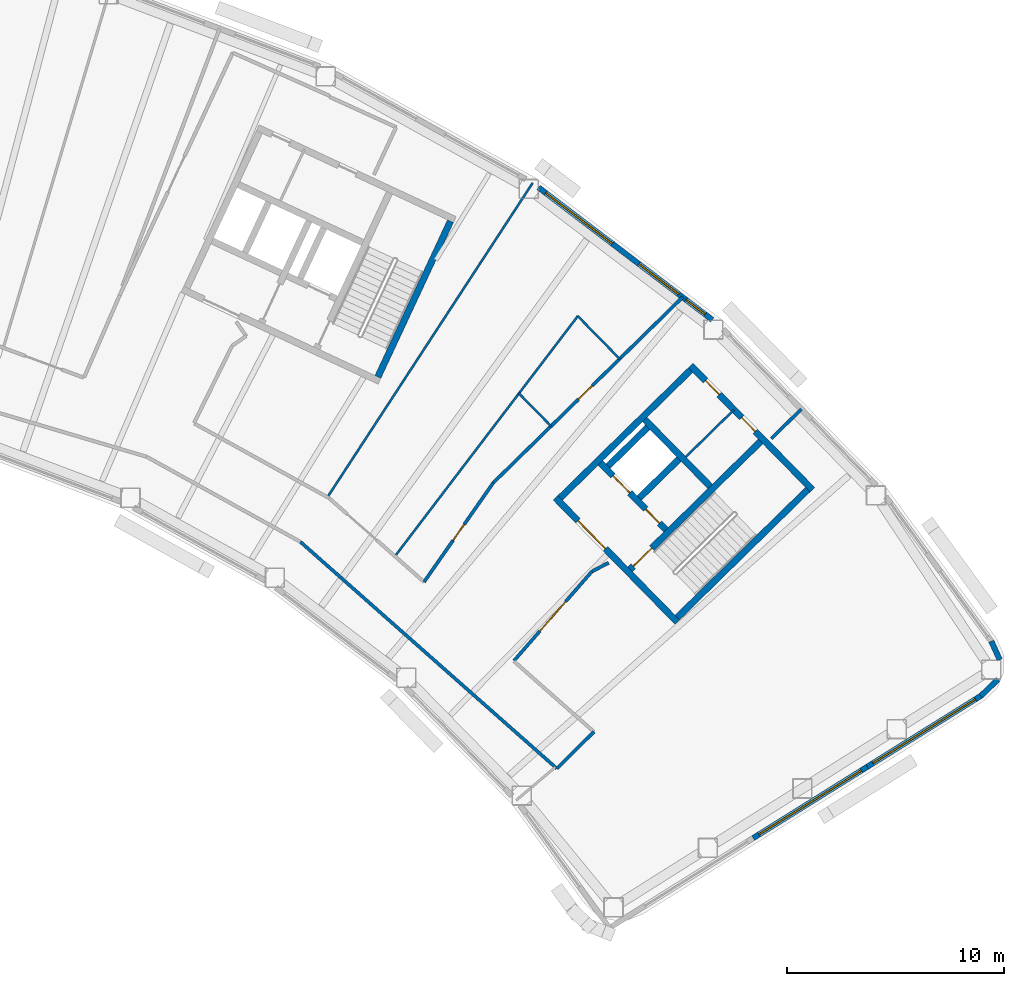
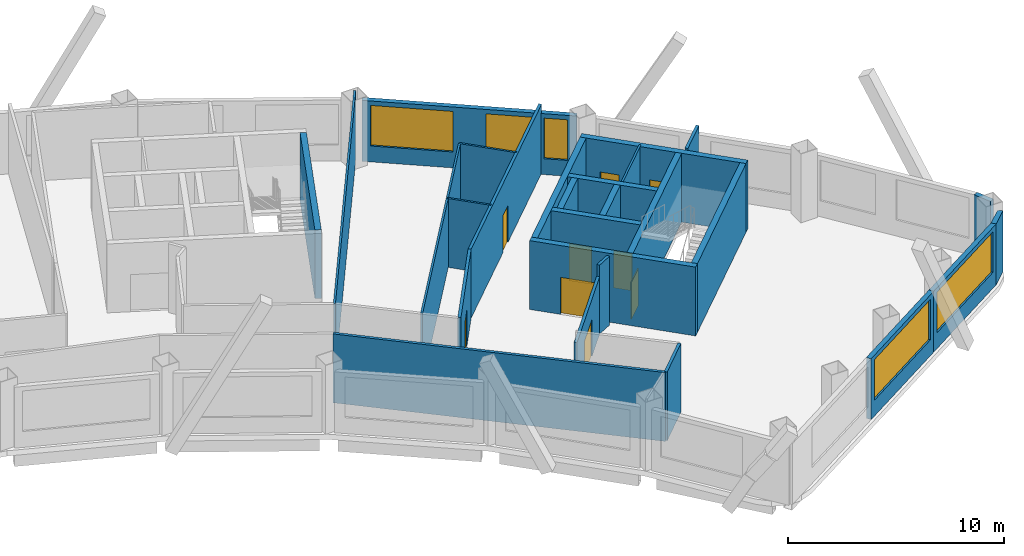
# One storey, part 9 of 13: 27 walls, 9 doors, 5 windows, 14 openings.
"""IFC4 building model written with IfcOpenShell, lengths in metres."""

from ifc_helpers import new_model, si_unit, direction, frame, frame_2d, origin, place, context, subcontext, project, spatial, rectangle, extrude, material, layer, layer_set, type_object, element, fill, save


model = new_model("IFC4")

# Units and contexts
model_context = context("Model", 3, precision=1e-05, world=origin(), true_north=direction((0.0, 1.0)))
body_context = subcontext(model_context, "Body", "Model", "MODEL_VIEW")
ifc_project = project(units=[si_unit("LENGTHUNIT", "METRE"), si_unit("AREAUNIT", "SQUARE_METRE"), si_unit("VOLUMEUNIT", "CUBIC_METRE"), si_unit("PLANEANGLEUNIT", "RADIAN"), si_unit("MASSUNIT", "GRAM", prefix="KILO")], contexts=[model_context])

# Site, building, storey
site_placement = place(None, origin())
site = spatial("IfcSite", under=ifc_project, at=site_placement, CompositionType="ELEMENT")
building_placement = place(site_placement, origin())
building = spatial("IfcBuilding", under=site, at=building_placement, Name="Tuul Gate Civic Tower", CompositionType="ELEMENT")
storey_placement = place(building_placement, frame((0.0, 0.0, 180.5)))
storey = spatial("IfcBuildingStorey", under=building, at=storey_placement, Name="Level 41", CompositionType="ELEMENT", Elevation=180.5)

# Wall, opening, door
ifc_material_1 = material(Name="Concrete C50/60", Category="concrete")
ifc_layer_1 = layer(ifc_material_1, 0.300048828125)
ifc_layer_set_1 = layer_set([ifc_layer_1], Name="Concrete C50/60")
wall_type_1 = type_object("IfcWallType", Name="Core wall C50/60", PredefinedType="SHEAR", material=ifc_layer_set_1)
wall_1_placement = place(storey_placement, frame((48.22509765625, -18.327880859375, 0.0), z_axis=(0.0, 0.0, 1.0), x_axis=(-0.700021979774, 0.714121297703, 0.0)))
wall_1 = element("IfcWall", 1, at=wall_1_placement, inside=storey, type_object=wall_type_1, Name="Core wall", PredefinedType="SHEAR", context=body_context, shape_type="SweptSolid", body=[
    extrude(rectangle(XDim=8.0, YDim=0.300048828125, at=frame_2d((4.0, 0.0))), origin(), (0.0, 0.0, 1.0), 3.89990234375),
])
opening_1_placement = place(wall_1_placement, frame((4.72509765625, 0.0, 0.0)))
opening_1 = element("IfcOpeningElement", 2, at=opening_1_placement, cuts=wall_1, Name="Opening LB-E1-LOBBY-1", PredefinedType="OPENING", context=body_context, shape_type="SweptSolid", body=[
    extrude(rectangle(XDim=1.800048828125, YDim=2.10009765625, at=frame_2d((0.89990234375, 1.050048828125))), frame((0.0, 0.16015625, 0.0), z_axis=(0.0, -1.0, 0.0), x_axis=(1.0, 0.0, 0.0)), (0.0, 0.0, 1.0), 0.320068359375),
])
ifc_material_2 = material(Name="Steel", Category="steel")
door_type_1 = type_object("IfcDoorType", Name="Lobby door", OperationType="DOUBLE_DOOR_SINGLE_SWING", PredefinedType="DOOR", material=ifc_material_2)
door_1_placement = place(opening_1_placement, frame((1.800048828125, 0.0, 0.0), z_axis=(0.0, 0.0, 1.0), x_axis=(-1.0, 0.0, 0.0)))
door_1 = element("IfcDoor", 3, at=door_1_placement, inside=storey, type_object=door_type_1, Name="Lobby door E1-LOBBY", OperationType="DOUBLE_DOOR_SINGLE_SWING", OverallHeight=2.10009765625, OverallWidth=1.800048828125, PredefinedType="DOOR", context=body_context, shape_type="SweptSolid", body=[
    extrude(rectangle(XDim=1.800048828125, YDim=2.10009765625, at=frame_2d((0.900146484375, 1.050048828125))), frame((0.0, 0.02490234375, 0.0), z_axis=(0.0, -1.0, 0.0), x_axis=(1.0, 0.0, 0.0)), (0.0, 0.0, 1.0), 0.050048828125),
])
fill(opening_1, door_1)

# Wall, openings, doors
wall_2_placement = place(storey_placement, frame((47.701904296875, -14.079833984375, 0.0), z_axis=(0.0, 0.0, 1.0), x_axis=(-0.700002721075, 0.714140175657, 0.0)))
wall_2 = element("IfcWall", 4, at=wall_2_placement, inside=storey, type_object=wall_type_1, Name="Core wall", PredefinedType="SHEAR", context=body_context, shape_type="SweptSolid", body=[
    extrude(rectangle(XDim=4.300048828125, YDim=0.300048828125, at=frame_2d((2.14990234375, 0.0))), origin(), (0.0, 0.0, 1.0), 3.89990234375),
])
opening_2_placement = place(wall_2_placement, frame((0.425048828125, 0.0, 0.0)))
opening_2 = element("IfcOpeningElement", 5, at=opening_2_placement, cuts=wall_2, Name="Opening FB-E1A1", PredefinedType="OPENING", context=body_context, shape_type="SweptSolid", body=[
    extrude(rectangle(XDim=0.89990234375, YDim=2.10009765625, at=frame_2d((0.449951171875, 1.050048828125))), frame((0.0, 0.16015625, 0.0), z_axis=(0.0, -1.0, 0.0), x_axis=(1.0, 0.0, 0.0)), (0.0, 0.0, 1.0), 0.320068359375),
])
opening_3_placement = place(wall_2_placement, frame((2.375, 0.0, 0.0)))
opening_3 = element("IfcOpeningElement", 6, at=opening_3_placement, cuts=wall_2, Name="Opening LD-M3", PredefinedType="OPENING", context=body_context, shape_type="SweptSolid", body=[
    extrude(rectangle(XDim=1.10009765625, YDim=2.10009765625, at=frame_2d((0.550048828125, 1.050048828125))), frame((0.0, 0.16015625, 0.0), z_axis=(0.0, -1.0, 0.0), x_axis=(1.0, 0.0, 0.0)), (0.0, 0.0, 1.0), 0.320068359375),
])
ifc_material_3 = material(Name="Stainless steel", Category="steel")
door_type_2 = type_object("IfcDoorType", Name="Landing door", OperationType="DOUBLE_DOOR_SLIDING", PredefinedType="DOOR", material=ifc_material_3)
door_2_placement = place(opening_3_placement, origin())
door_2 = element("IfcDoor", 7, at=door_2_placement, inside=storey, type_object=door_type_2, Name="Mid-rise lift M3 landing door", OperationType="DOUBLE_DOOR_SLIDING", OverallHeight=2.10009765625, OverallWidth=1.10009765625, PredefinedType="DOOR", context=body_context, shape_type="SweptSolid", body=[
    extrude(rectangle(XDim=1.10009765625, YDim=2.10009765625, at=frame_2d((0.550048828125, 1.050048828125))), frame((0.0, 0.02490234375, 0.0), z_axis=(0.0, -1.0, 0.0), x_axis=(1.0, 0.0, 0.0)), (0.0, 0.0, 1.0), 0.050048828125),
])
fill(opening_3, door_2)
ifc_material_4 = material(Name="Steel", Category="steel")
door_type_3 = type_object("IfcDoorType", Name="Store door", OperationType="NOTDEFINED", PredefinedType="DOOR", material=ifc_material_4)
door_3_placement = place(opening_2_placement, frame((0.89990234375, 0.0, 0.0), z_axis=(0.0, 0.0, 1.0), x_axis=(-1.0, 0.0, 0.0)))
door_3 = element("IfcDoor", 8, at=door_3_placement, inside=storey, type_object=door_type_3, Name="Store door E1A1", OperationType="SINGLE_SWING_RIGHT", OverallHeight=2.10009765625, OverallWidth=0.89990234375, PredefinedType="DOOR", context=body_context, shape_type="SweptSolid", body=[
    extrude(rectangle(XDim=0.89990234375, YDim=2.10009765625, at=frame_2d((0.449951171875, 1.050048828125))), frame((0.0, 0.02490234375, 0.0), z_axis=(0.0, -1.0, 0.0), x_axis=(1.0, 0.0, 0.0)), (0.0, 0.0, 1.0), 0.050048828125),
])
fill(opening_2, door_3)

# Wall
wall_3_placement = place(storey_placement, frame((49.737060546875, -12.0849609375, 0.0), z_axis=(0.0, 0.0, 1.0), x_axis=(-0.700002721075, 0.714140175657, 0.0)))
element("IfcWall", 9, at=wall_3_placement, inside=storey, type_object=wall_type_1, Name="Core wall", PredefinedType="SHEAR", context=body_context, shape_type="SweptSolid", body=[
    extrude(rectangle(XDim=4.300048828125, YDim=0.300048828125, at=frame_2d((2.14990234375, 0.0))), origin(), (0.0, 0.0, 1.0), 3.89990234375),
])

# Wall, openings, doors
wall_4_placement = place(storey_placement, frame((54.43798828125, -12.23779296875, 0.0), z_axis=(0.0, 0.0, 1.0), x_axis=(-0.700021979774, 0.714121297703, 0.0)))
wall_4 = element("IfcWall", 10, at=wall_4_placement, inside=storey, type_object=wall_type_1, Name="Core wall", PredefinedType="SHEAR", context=body_context, shape_type="SweptSolid", body=[
    extrude(rectangle(XDim=8.0, YDim=0.300048828125, at=frame_2d((4.0, 0.0))), origin(), (0.0, 0.0, 1.0), 3.89990234375),
])
opening_4_placement = place(wall_4_placement, frame((3.75, 0.0, 0.0)))
opening_4 = element("IfcOpeningElement", 11, at=opening_4_placement, cuts=wall_4, Name="Opening O-D27", PredefinedType="OPENING", context=body_context, shape_type="SweptSolid", body=[
    extrude(rectangle(XDim=0.89990234375, YDim=2.10009765625, at=frame_2d((0.449951171875, 1.050048828125))), frame((0.0, 0.16015625, 0.0), z_axis=(0.0, -1.0, 0.0), x_axis=(1.0, 0.0, 0.0)), (0.0, 0.0, 1.0), 0.320068359375),
])
opening_5_placement = place(wall_4_placement, frame((6.125, 0.0, 0.0)))
opening_5 = element("IfcOpeningElement", 12, at=opening_5_placement, cuts=wall_4, Name="Opening O-D28", PredefinedType="OPENING", context=body_context, shape_type="SweptSolid", body=[
    extrude(rectangle(XDim=0.89990234375, YDim=2.10009765625, at=frame_2d((0.449951171875, 1.050048828125))), frame((0.0, 0.16015625, 0.0), z_axis=(0.0, -1.0, 0.0), x_axis=(1.0, 0.0, 0.0)), (0.0, 0.0, 1.0), 0.320068359375),
])
ifc_material_5 = material(Name="Timber door leaf", Category="wood")
door_type_4 = type_object("IfcDoorType", Name="Door D09", OperationType="NOTDEFINED", PredefinedType="DOOR", material=ifc_material_5)
door_4_placement = place(opening_4_placement, origin())
door_4 = element("IfcDoor", 13, at=door_4_placement, inside=storey, type_object=door_type_4, Name="Door O-D27", OperationType="SINGLE_SWING_LEFT", OverallHeight=2.10009765625, OverallWidth=0.89990234375, PredefinedType="DOOR", context=body_context, shape_type="SweptSolid", body=[
    extrude(rectangle(XDim=0.89990234375, YDim=2.10009765625, at=frame_2d((0.449951171875, 1.050048828125))), frame((0.0, 0.02490234375, 0.0), z_axis=(0.0, -1.0, 0.0), x_axis=(1.0, 0.0, 0.0)), (0.0, 0.0, 1.0), 0.050048828125),
])
fill(opening_4, door_4)
door_5_placement = place(opening_5_placement, origin())
door_5 = element("IfcDoor", 14, at=door_5_placement, inside=storey, type_object=door_type_4, Name="Door O-D28", OperationType="SINGLE_SWING_LEFT", OverallHeight=2.10009765625, OverallWidth=0.89990234375, PredefinedType="DOOR", context=body_context, shape_type="SweptSolid", body=[
    extrude(rectangle(XDim=0.89990234375, YDim=2.10009765625, at=frame_2d((0.449951171875, 1.050048828125))), frame((0.0, 0.02490234375, 0.0), z_axis=(0.0, -1.0, 0.0), x_axis=(1.0, 0.0, 0.0)), (0.0, 0.0, 1.0), 0.050048828125),
])
fill(opening_5, door_5)

# Wall
wall_5_placement = place(storey_placement, frame((48.227294921875, -18.115966796875, 0.0), z_axis=(0.0, 0.0, 1.0), x_axis=(0.714105315431, 0.700038283577, 0.0)))
element("IfcWall", 15, at=wall_5_placement, inside=storey, type_object=wall_type_1, Name="Core wall", PredefinedType="SHEAR", context=body_context, shape_type="SweptSolid", body=[
    extrude(rectangle(XDim=8.400146484375, YDim=0.300048828125, at=frame_2d((4.2001953125, 0.0))), origin(), (0.0, 0.0, 1.0), 3.89990234375),
])

# Wall, opening, door
wall_6_placement = place(storey_placement, frame((46.05712890625, -15.902099609375, 0.0), z_axis=(0.0, 0.0, 1.0), x_axis=(0.714134086973, 0.700008932674, 0.0)))
wall_6 = element("IfcWall", 16, at=wall_6_placement, inside=storey, type_object=wall_type_1, Name="Core wall", PredefinedType="SHEAR", context=body_context, shape_type="SweptSolid", body=[
    extrude(rectangle(XDim=8.400146484375, YDim=0.300048828125, at=frame_2d((4.2001953125, 0.0))), origin(), (0.0, 0.0, 1.0), 3.89990234375),
])
opening_6_placement = place(wall_6_placement, frame((0.199951171875, 0.0, 0.0)))
opening_6 = element("IfcOpeningElement", 17, at=opening_6_placement, cuts=wall_6, Name="Opening SD-ST-3", PredefinedType="OPENING", context=body_context, shape_type="SweptSolid", body=[
    extrude(rectangle(XDim=1.199951171875, YDim=2.10009765625, at=frame_2d((0.60009765625, 1.050048828125))), frame((0.0, 0.16015625, 0.0), z_axis=(0.0, -1.0, 0.0), x_axis=(1.0, 0.0, 0.0)), (0.0, 0.0, 1.0), 0.320068359375),
])
ifc_material_6 = material(Name="Steel", Category="steel")
door_type_5 = type_object("IfcDoorType", Name="Stair door", OperationType="NOTDEFINED", PredefinedType="DOOR", material=ifc_material_6)
door_6_placement = place(opening_6_placement, origin())
door_6 = element("IfcDoor", 18, at=door_6_placement, inside=storey, type_object=door_type_5, Name="Stair door ST-3", OperationType="SINGLE_SWING_LEFT", OverallHeight=2.10009765625, OverallWidth=1.199951171875, PredefinedType="DOOR", context=body_context, shape_type="SweptSolid", body=[
    extrude(rectangle(XDim=1.199951171875, YDim=2.10009765625, at=frame_2d((0.60009765625, 1.050048828125))), frame((0.0, 0.02490234375, 0.0), z_axis=(0.0, -1.0, 0.0), x_axis=(1.0, 0.0, 0.0)), (0.0, 0.0, 1.0), 0.050048828125),
])
fill(opening_6, door_6)

# Walls
wall_7_placement = place(storey_placement, frame((46.47900390625, -12.617919921875, 0.0), z_axis=(0.0, 0.0, 1.0), x_axis=(0.71410944159, 0.700034074479, 0.0)))
element("IfcWall", 19, at=wall_7_placement, inside=storey, type_object=wall_type_1, Name="Core wall", PredefinedType="SHEAR", context=body_context, shape_type="SweptSolid", body=[
    extrude(rectangle(XDim=2.5498046875, YDim=0.300048828125, at=frame_2d((1.27490234375, 0.0))), origin(), (0.0, 0.0, 1.0), 3.89990234375),
])
wall_8_placement = place(storey_placement, frame((45.0439453125, -11.154052734375, 0.0), z_axis=(0.0, 0.0, 1.0), x_axis=(0.714108498262, 0.700035036773, 0.0)))
element("IfcWall", 20, at=wall_8_placement, inside=storey, type_object=wall_type_1, Name="Core wall", PredefinedType="SHEAR", context=body_context, shape_type="SweptSolid", body=[
    extrude(rectangle(XDim=2.550048828125, YDim=0.300048828125, at=frame_2d((1.27490234375, 0.0))), origin(), (0.0, 0.0, 1.0), 3.89990234375),
])
wall_9_placement = place(storey_placement, frame((42.837158203125, -12.616943359375, 0.0), z_axis=(0.0, 0.0, 1.0), x_axis=(0.714119844755, 0.700023461983, 0.0)))
element("IfcWall", 21, at=wall_9_placement, inside=storey, type_object=wall_type_1, Name="Core wall", PredefinedType="SHEAR", context=body_context, shape_type="SweptSolid", body=[
    extrude(rectangle(XDim=8.39990234375, YDim=0.300048828125, at=frame_2d((4.199951171875, 0.0))), origin(), (0.0, 0.0, 1.0), 3.89990234375),
])
wall_10_placement = place(storey_placement, frame((34.455810546875, -7.05078125, 0.0), z_axis=(0.0, 0.0, 1.0), x_axis=(0.422570768258, 0.906329932096, 0.0)))
element("IfcWall", 22, at=wall_10_placement, inside=storey, type_object=wall_type_1, Name="Core wall", PredefinedType="SHEAR", context=body_context, shape_type="SweptSolid", body=[
    extrude(rectangle(XDim=7.900146484375, YDim=0.300048828125, at=frame_2d((3.9501953125, 0.0))), origin(), (0.0, 0.0, 1.0), 3.89990234375),
])
ifc_material_7 = material(Name="Gypsum board partition")
ifc_layer_2 = layer(ifc_material_7, 0.14990234375)
ifc_layer_set_2 = layer_set([ifc_layer_2], Name="Gypsum board partition")
wall_type_2 = type_object("IfcWallType", Name="Corridor wall P150", PredefinedType="PARTITIONING", material=ifc_layer_set_2)
wall_11_placement = place(storey_placement, frame((42.68359375, -25.06103515625, 0.0), z_axis=(0.0, 0.0, 1.0), x_axis=(0.711669598432, 0.702514329155, 0.0)))
element("IfcWall", 23, at=wall_11_placement, inside=storey, type_object=wall_type_2, Name="p002", PredefinedType="PARTITIONING", context=body_context, shape_type="SweptSolid", body=[
    extrude(rectangle(XDim=2.39990234375, YDim=0.14990234375, at=frame_2d((1.199951171875, 0.0))), origin(), (0.0, 0.0, 1.0), 3.89990234375),
])
wall_12_placement = place(storey_placement, frame((44.297607421875, -16.002685546875, 0.0), z_axis=(0.0, 0.0, 1.0), x_axis=(0.885518894056, 0.464603366616, 0.0)))
element("IfcWall", 24, at=wall_12_placement, inside=storey, type_object=wall_type_2, Name="p006", PredefinedType="PARTITIONING", context=body_context, shape_type="SweptSolid", body=[
    extrude(rectangle(XDim=0.871826171875, YDim=0.14990234375, at=frame_2d((0.43603515625, 0.0))), origin(), (0.0, 0.0, 1.0), 3.89990234375),
])
wall_13_placement = place(storey_placement, frame((52.5517578125, -9.88525390625, 0.0), z_axis=(0.0, 0.0, 1.0), x_axis=(0.714076550364, 0.700067625463, 0.0)))
element("IfcWall", 25, at=wall_13_placement, inside=storey, type_object=wall_type_2, Name="p007", PredefinedType="PARTITIONING", context=body_context, shape_type="SweptSolid", body=[
    extrude(rectangle(XDim=1.9345703125, YDim=0.14990234375, at=frame_2d((0.96728515625, 0.0))), origin(), (0.0, 0.0, 1.0), 3.89990234375),
])
wall_14_placement = place(storey_placement, frame((30.89306640625, -14.639404296875, 0.0), z_axis=(0.0, 0.0, 1.0), x_axis=(0.749263018591, -0.662272548859, 0.0)))
element("IfcWall", 26, at=wall_14_placement, inside=storey, type_object=wall_type_2, Name="p008", PredefinedType="PARTITIONING", context=body_context, shape_type="SweptSolid", body=[
    extrude(rectangle(XDim=15.736083984375, YDim=0.14990234375, at=frame_2d((7.8681640625, 0.0))), origin(), (0.0, 0.0, 1.0), 3.89990234375),
])

# Wall, opening, door
wall_15_placement = place(storey_placement, frame((39.759521484375, -11.923095703125, 0.0), z_axis=(0.0, 0.0, 1.0), x_axis=(0.714135407695, 0.700007585299, 0.0)))
wall_15 = element("IfcWall", 27, at=wall_15_placement, inside=storey, type_object=wall_type_2, Name="p012", PredefinedType="PARTITIONING", context=body_context, shape_type="SweptSolid", body=[
    extrude(rectangle(XDim=12.2001953125, YDim=0.14990234375, at=frame_2d((6.10009765625, 0.0))), origin(), (0.0, 0.0, 1.0), 3.89990234375),
])
opening_7_placement = place(wall_15_placement, frame((5.4833984375, 0.0, 0.0)))
opening_7 = element("IfcOpeningElement", 28, at=opening_7_placement, cuts=wall_15, Name="Opening O-D02", PredefinedType="OPENING", context=body_context, shape_type="SweptSolid", body=[
    extrude(rectangle(XDim=0.89990234375, YDim=2.10009765625, at=frame_2d((0.449951171875, 1.050048828125))), frame((0.0, 0.0849609375, 0.0), z_axis=(0.0, -1.0, 0.0), x_axis=(1.0, 0.0, 0.0)), (0.0, 0.0, 1.0), 0.169921875),
])
door_7_placement = place(opening_7_placement, origin())
door_7 = element("IfcDoor", 29, at=door_7_placement, inside=storey, type_object=door_type_4, Name="Door O-D02", OperationType="SINGLE_SWING_RIGHT", OverallHeight=2.10009765625, OverallWidth=0.89990234375, PredefinedType="DOOR", context=body_context, shape_type="SweptSolid", body=[
    extrude(rectangle(XDim=0.89990234375, YDim=2.10009765625, at=frame_2d((0.449951171875, 1.050048828125))), frame((0.0, 0.02490234375, 0.0), z_axis=(0.0, -1.0, 0.0), x_axis=(1.0, 0.0, 0.0)), (0.0, 0.0, 1.0), 0.050048828125),
])
fill(opening_7, door_7)

wall_16_placement = place(storey_placement, frame((36.5791015625, -16.481201171875, 0.0), z_axis=(0.0, 0.0, 1.0), x_axis=(0.572223507899, 0.820097711866, 0.0)))
wall_16 = element("IfcWall", 30, at=wall_16_placement, inside=storey, type_object=wall_type_2, Name="p074", PredefinedType="PARTITIONING", context=body_context, shape_type="SweptSolid", body=[
    extrude(rectangle(XDim=5.55810546875, YDim=0.14990234375, at=frame_2d((2.779052734375, 0.0))), origin(), (0.0, 0.0, 1.0), 3.89990234375),
])
opening_8_placement = place(wall_16_placement, frame((2.3291015625, 0.0, 0.0)))
opening_8 = element("IfcOpeningElement", 31, at=opening_8_placement, cuts=wall_16, Name="Opening O-D24", PredefinedType="OPENING", context=body_context, shape_type="SweptSolid", body=[
    extrude(rectangle(XDim=0.89990234375, YDim=2.10009765625, at=frame_2d((0.449951171875, 1.050048828125))), frame((0.0, 0.0849609375, 0.0), z_axis=(0.0, -1.0, 0.0), x_axis=(1.0, 0.0, 0.0)), (0.0, 0.0, 1.0), 0.169921875),
])
door_8_placement = place(opening_8_placement, origin())
door_8 = element("IfcDoor", 32, at=door_8_placement, inside=storey, type_object=door_type_4, Name="Door O-D24", OperationType="SINGLE_SWING_RIGHT", OverallHeight=2.10009765625, OverallWidth=0.89990234375, PredefinedType="DOOR", context=body_context, shape_type="SweptSolid", body=[
    extrude(rectangle(XDim=0.89990234375, YDim=2.10009765625, at=frame_2d((0.449951171875, 1.050048828125))), frame((0.0, 0.02490234375, 0.0), z_axis=(0.0, -1.0, 0.0), x_axis=(1.0, 0.0, 0.0)), (0.0, 0.0, 1.0), 0.050048828125),
])
fill(opening_8, door_8)

ifc_material_8 = material(Name="Gypsum board partition")
ifc_layer_3 = layer(ifc_material_8, 0.14990234375)
ifc_layer_set_3 = layer_set([ifc_layer_3], Name="Gypsum board partition")
wall_type_3 = type_object("IfcWallType", Name="Corridor wall P150 3250 HIGH", PredefinedType="PARTITIONING", material=ifc_layer_set_3)
wall_17_placement = place(storey_placement, frame((40.714111328125, -20.10595703125, 0.0), z_axis=(0.0, 0.0, 1.0), x_axis=(0.657605101482, 0.753362814655, 0.0)))
wall_17 = element("IfcWall", 33, at=wall_17_placement, inside=storey, type_object=wall_type_3, Name="p005", PredefinedType="PARTITIONING", context=body_context, shape_type="SweptSolid", body=[
    extrude(rectangle(XDim=5.440673828125, YDim=0.14990234375, at=frame_2d((2.72021484375, 0.0))), origin(), (0.0, 0.0, 1.0), 3.25),
])
opening_9_placement = place(wall_17_placement, frame((1.8203125, 0.0, 0.0)))
opening_9 = element("IfcOpeningElement", 34, at=opening_9_placement, cuts=wall_17, Name="Opening O-D01", PredefinedType="OPENING", context=body_context, shape_type="SweptSolid", body=[
    extrude(rectangle(XDim=1.800048828125, YDim=2.10009765625, at=frame_2d((0.89990234375, 1.050048828125))), frame((0.0, 0.0849609375, 0.0), z_axis=(0.0, -1.0, 0.0), x_axis=(1.0, 0.0, 0.0)), (0.0, 0.0, 1.0), 0.169921875),
])
ifc_material_9 = material(Name="Timber door leaf, double", Category="wood")
door_type_6 = type_object("IfcDoorType", Name="Door D18", OperationType="DOUBLE_DOOR_SINGLE_SWING", PredefinedType="DOOR", material=ifc_material_9)
door_9_placement = place(opening_9_placement, frame((1.800048828125, 0.0, 0.0), z_axis=(0.0, 0.0, 1.0), x_axis=(-1.0, 0.0, 0.0)))
door_9 = element("IfcDoor", 35, at=door_9_placement, inside=storey, type_object=door_type_6, Name="Door O-D01", OperationType="DOUBLE_DOOR_SINGLE_SWING", OverallHeight=2.10009765625, OverallWidth=1.800048828125, PredefinedType="DOOR", context=body_context, shape_type="SweptSolid", body=[
    extrude(rectangle(XDim=1.800048828125, YDim=2.10009765625, at=frame_2d((0.900146484375, 1.050048828125))), frame((0.0, 0.02490234375, 0.0), z_axis=(0.0, -1.0, 0.0), x_axis=(1.0, 0.0, 0.0)), (0.0, 0.0, 1.0), 0.050048828125),
])
fill(opening_9, door_9)

# Walls
ifc_material_10 = material(Name="Precast concrete C40/50", Category="concrete")
ifc_layer_4 = layer(ifc_material_10, 0.25)
ifc_layer_set_4 = layer_set([ifc_layer_4], Name="Precast concrete C40/50")
wall_type_4 = type_object("IfcWallType", Name="External wall", PredefinedType="STANDARD", material=ifc_layer_set_4)
wall_18_placement = place(storey_placement, frame((62.180419921875, -21.725830078125, 0.0), z_axis=(0.0, 0.0, 1.0), x_axis=(0.722107994372, 0.691780344087, 0.0)))
element("IfcWall", 36, at=wall_18_placement, inside=storey, type_object=wall_type_4, Name="External wall", PredefinedType="STANDARD", context=body_context, shape_type="SweptSolid", body=[
    extrude(rectangle(XDim=1.102783203125, YDim=0.25, at=frame_2d((0.55126953125, 0.0))), origin(), (0.0, 0.0, 1.0), 3.449951171875),
])
wall_19_placement = place(storey_placement, frame((63.0546875, -20.06298828125, 0.0), z_axis=(0.0, 0.0, 1.0), x_axis=(-0.413528765966, 0.910491054167, 0.0)))
element("IfcWall", 37, at=wall_19_placement, inside=storey, type_object=wall_type_4, Name="External wall", PredefinedType="STANDARD", context=body_context, shape_type="SweptSolid", body=[
    extrude(rectangle(XDim=0.939208984375, YDim=0.25, at=frame_2d((0.4697265625, 0.0))), origin(), (0.0, 0.0, 1.0), 3.449951171875),
])

# Wall, openings, windows
wall_20_placement = place(storey_placement, frame((49.83251953125, -4.425048828125, 0.0), z_axis=(0.0, 0.0, 1.0), x_axis=(-0.795600211162, 0.605822006862, 0.0)))
wall_20 = element("IfcWall", 38, at=wall_20_placement, inside=storey, type_object=wall_type_4, Name="External wall", PredefinedType="STANDARD", context=body_context, shape_type="SweptSolid", body=[
    extrude(rectangle(XDim=10.043212890625, YDim=0.25, at=frame_2d((5.021484375, 0.0))), origin(), (0.0, 0.0, 1.0), 3.449951171875),
])
opening_10_placement = place(wall_20_placement, frame((5.782958984375, 0.0, 0.89990234375)))
opening_10 = element("IfcOpeningElement", 39, at=opening_10_placement, cuts=wall_20, Name="Opening W22", PredefinedType="OPENING", context=body_context, shape_type="SweptSolid", body=[
    extrude(rectangle(XDim=3.85009765625, YDim=2.300048828125, at=frame_2d((1.925048828125, 1.14990234375))), frame((0.0, 0.135009765625, 0.0), z_axis=(0.0, -1.0, 0.0), x_axis=(1.0, 0.0, 0.0)), (0.0, 0.0, 1.0), 0.27001953125),
])
opening_11_placement = place(wall_20_placement, frame((0.412841796875, 0.0, 0.89990234375)))
opening_11 = element("IfcOpeningElement", 40, at=opening_11_placement, cuts=wall_20, Name="Opening W33", PredefinedType="OPENING", context=body_context, shape_type="SweptSolid", body=[
    extrude(rectangle(XDim=1.10009765625, YDim=2.300048828125, at=frame_2d((0.550048828125, 1.14990234375))), frame((0.0, 0.135009765625, 0.0), z_axis=(0.0, -1.0, 0.0), x_axis=(1.0, 0.0, 0.0)), (0.0, 0.0, 1.0), 0.27001953125),
])
opening_12_placement = place(wall_20_placement, frame((1.937744140625, 0.0, 0.89990234375)))
opening_12 = element("IfcOpeningElement", 41, at=opening_12_placement, cuts=wall_20, Name="Opening W34", PredefinedType="OPENING", context=body_context, shape_type="SweptSolid", body=[
    extrude(rectangle(XDim=2.300048828125, YDim=2.300048828125, at=frame_2d((1.14990234375, 1.14990234375))), frame((0.0, 0.135009765625, 0.0), z_axis=(0.0, -1.0, 0.0), x_axis=(1.0, 0.0, 0.0)), (0.0, 0.0, 1.0), 0.27001953125),
])
ifc_material_11 = material(Name="Glass", Category="glass")
window_type_1 = type_object("IfcWindowType", Name="Window 1100 x 2300", PartitioningType="SINGLE_PANEL", PredefinedType="WINDOW", material=ifc_material_11)
window_1_placement = place(opening_11_placement, origin())
window_1 = element("IfcWindow", 42, at=window_1_placement, inside=storey, type_object=window_type_1, Name="Window", OverallHeight=2.300048828125, OverallWidth=1.10009765625, PartitioningType="SINGLE_PANEL", PredefinedType="WINDOW", context=body_context, shape_type="SweptSolid", body=[
    extrude(rectangle(XDim=1.10009765625, YDim=2.300048828125, at=frame_2d((0.550048828125, 1.14990234375))), frame((0.0, 0.030029296875, 0.0), z_axis=(0.0, -1.0, 0.0), x_axis=(1.0, 0.0, 0.0)), (0.0, 0.0, 1.0), 0.06005859375),
])
fill(opening_11, window_1)
ifc_material_12 = material(Name="Glass", Category="glass")
window_type_2 = type_object("IfcWindowType", Name="Window 2300 x 2300", PartitioningType="SINGLE_PANEL", PredefinedType="WINDOW", material=ifc_material_12)
window_2_placement = place(opening_12_placement, origin())
window_2 = element("IfcWindow", 43, at=window_2_placement, inside=storey, type_object=window_type_2, Name="Window", OverallHeight=2.300048828125, OverallWidth=2.300048828125, PartitioningType="SINGLE_PANEL", PredefinedType="WINDOW", context=body_context, shape_type="SweptSolid", body=[
    extrude(rectangle(XDim=2.300048828125, YDim=2.300048828125, at=frame_2d((1.14990234375, 1.14990234375))), frame((0.0, 0.030029296875, 0.0), z_axis=(0.0, -1.0, 0.0), x_axis=(1.0, 0.0, 0.0)), (0.0, 0.0, 1.0), 0.06005859375),
])
fill(opening_12, window_2)
ifc_material_13 = material(Name="Glass", Category="glass")
window_type_3 = type_object("IfcWindowType", Name="Window W22 3850 x 2300", PartitioningType="SINGLE_PANEL", PredefinedType="WINDOW", material=ifc_material_13)
window_3_placement = place(opening_10_placement, origin())
window_3 = element("IfcWindow", 44, at=window_3_placement, inside=storey, type_object=window_type_3, Name="Window", OverallHeight=2.300048828125, OverallWidth=3.85009765625, PartitioningType="SINGLE_PANEL", PredefinedType="WINDOW", context=body_context, shape_type="SweptSolid", body=[
    extrude(rectangle(XDim=3.85009765625, YDim=2.300048828125, at=frame_2d((1.925048828125, 1.14990234375))), frame((0.0, 0.030029296875, 0.0), z_axis=(0.0, -1.0, 0.0), x_axis=(1.0, 0.0, 0.0)), (0.0, 0.0, 1.0), 0.06005859375),
])
fill(opening_10, window_3)

# Wall, opening, window
wall_21_placement = place(storey_placement, frame((51.714111328125, -28.2626953125, 0.0), z_axis=(0.0, 0.0, 1.0), x_axis=(0.848053758074, 0.529910203164, 0.0)))
wall_21 = element("IfcWall", 45, at=wall_21_placement, inside=storey, type_object=wall_type_4, Name="External wall", PredefinedType="STANDARD", context=body_context, shape_type="SweptSolid", body=[
    extrude(rectangle(XDim=6.182861328125, YDim=0.25, at=frame_2d((3.09130859375, 0.0))), origin(), (0.0, 0.0, 1.0), 3.449951171875),
])
opening_13_placement = place(wall_21_placement, frame((0.31640625, 0.0, 0.89990234375)))
opening_13 = element("IfcOpeningElement", 46, at=opening_13_placement, cuts=wall_21, Name="Opening W24", PredefinedType="OPENING", context=body_context, shape_type="SweptSolid", body=[
    extrude(rectangle(XDim=5.550048828125, YDim=2.300048828125, at=frame_2d((2.77490234375, 1.14990234375))), frame((0.0, 0.135009765625, 0.0), z_axis=(0.0, -1.0, 0.0), x_axis=(1.0, 0.0, 0.0)), (0.0, 0.0, 1.0), 0.27001953125),
])
ifc_material_14 = material(Name="Glass", Category="glass")
window_type_4 = type_object("IfcWindowType", Name="Window W24 5550 x 2300", PartitioningType="SINGLE_PANEL", PredefinedType="WINDOW", material=ifc_material_14)
window_4_placement = place(opening_13_placement, origin())
window_4 = element("IfcWindow", 47, at=window_4_placement, inside=storey, type_object=window_type_4, Name="Window", OverallHeight=2.300048828125, OverallWidth=5.550048828125, PartitioningType="SINGLE_PANEL", PredefinedType="WINDOW", context=body_context, shape_type="SweptSolid", body=[
    extrude(rectangle(XDim=5.550048828125, YDim=2.300048828125, at=frame_2d((2.77490234375, 1.14990234375))), frame((0.0, 0.030029296875, 0.0), z_axis=(0.0, -1.0, 0.0), x_axis=(1.0, 0.0, 0.0)), (0.0, 0.0, 1.0), 0.06005859375),
])
fill(opening_13, window_4)

wall_22_placement = place(storey_placement, frame((56.95751953125, -24.986328125, 0.0), z_axis=(0.0, 0.0, 1.0), x_axis=(0.848042669488, 0.529927948619, 0.0)))
wall_22 = element("IfcWall", 48, at=wall_22_placement, inside=storey, type_object=wall_type_4, Name="External wall", PredefinedType="STANDARD", context=body_context, shape_type="SweptSolid", body=[
    extrude(rectangle(XDim=6.1826171875, YDim=0.25, at=frame_2d((3.09130859375, 0.0))), origin(), (0.0, 0.0, 1.0), 3.449951171875),
])
opening_14_placement = place(wall_22_placement, frame((0.31640625, 0.0, 0.89990234375)))
opening_14 = element("IfcOpeningElement", 49, at=opening_14_placement, cuts=wall_22, Name="Opening W24", PredefinedType="OPENING", context=body_context, shape_type="SweptSolid", body=[
    extrude(rectangle(XDim=5.550048828125, YDim=2.300048828125, at=frame_2d((2.77490234375, 1.14990234375))), frame((0.0, 0.135009765625, 0.0), z_axis=(0.0, -1.0, 0.0), x_axis=(1.0, 0.0, 0.0)), (0.0, 0.0, 1.0), 0.27001953125),
])
window_5_placement = place(opening_14_placement, origin())
window_5 = element("IfcWindow", 50, at=window_5_placement, inside=storey, type_object=window_type_4, Name="Window", OverallHeight=2.300048828125, OverallWidth=5.550048828125, PartitioningType="SINGLE_PANEL", PredefinedType="WINDOW", context=body_context, shape_type="SweptSolid", body=[
    extrude(rectangle(XDim=5.550048828125, YDim=2.300048828125, at=frame_2d((2.77490234375, 1.14990234375))), frame((0.0, 0.030029296875, 0.0), z_axis=(0.0, -1.0, 0.0), x_axis=(1.0, 0.0, 0.0)), (0.0, 0.0, 1.0), 0.06005859375),
])
fill(opening_14, window_5)

# Walls
ifc_material_15 = material(Name="Gypsum board partition")
ifc_layer_5 = layer(ifc_material_15, 0.10009765625)
ifc_layer_set_5 = layer_set([ifc_layer_5], Name="Gypsum board partition")
wall_type_5 = type_object("IfcWallType", Name="Partition P100", PredefinedType="PARTITIONING", material=ifc_layer_set_5)
wall_23_placement = place(storey_placement, frame((40.9423828125, -7.810791015625, 0.0), z_axis=(0.0, 0.0, 1.0), x_axis=(0.700067938465, -0.714076243501, 0.0)))
element("IfcWall", 51, at=wall_23_placement, inside=storey, type_object=wall_type_5, Name="p009", PredefinedType="PARTITIONING", context=body_context, shape_type="SweptSolid", body=[
    extrude(rectangle(XDim=2.10888671875, YDim=0.10009765625, at=frame_2d((1.054443359375, 0.0))), origin(), (0.0, 0.0, 1.0), 3.89990234375),
])
wall_24_placement = place(storey_placement, frame((35.240234375, -15.299560546875, 0.0), z_axis=(0.0, 0.0, 1.0), x_axis=(0.605790384848, 0.795624289238, 0.0)))
element("IfcWall", 52, at=wall_24_placement, inside=storey, type_object=wall_type_5, Name="p010", PredefinedType="PARTITIONING", context=body_context, shape_type="SweptSolid", body=[
    extrude(rectangle(XDim=13.87939453125, YDim=0.10009765625, at=frame_2d((6.939697265625, 0.0))), origin(), (0.0, 0.0, 1.0), 3.89990234375),
])
wall_25_placement = place(storey_placement, frame((43.648193359375, -4.2568359375, 0.0), z_axis=(0.0, 0.0, 1.0), x_axis=(0.699975633534, -0.714166725953, 0.0)))
element("IfcWall", 53, at=wall_25_placement, inside=storey, type_object=wall_type_5, Name="p011", PredefinedType="PARTITIONING", context=body_context, shape_type="SweptSolid", body=[
    extrude(rectangle(XDim=2.752685546875, YDim=0.10009765625, at=frame_2d((1.37646484375, 0.0))), origin(), (0.0, 0.0, 1.0), 3.89990234375),
])
wall_26_placement = place(storey_placement, frame((32.135498046875, -12.58349609375, 0.0), z_axis=(0.0, 0.0, 1.0), x_axis=(0.546734065406, 0.837306312961, 0.0)))
element("IfcWall", 54, at=wall_26_placement, inside=storey, type_object=wall_type_5, Name="p013", PredefinedType="PARTITIONING", context=body_context, shape_type="SweptSolid", body=[
    extrude(rectangle(XDim=17.261962890625, YDim=0.10009765625, at=frame_2d((8.630859375, 0.0))), origin(), (0.0, 0.0, 1.0), 3.89990234375),
])
wall_27_placement = place(storey_placement, frame((48.619140625, -10.72998046875, 0.0), z_axis=(0.0, 0.0, 1.0), x_axis=(0.714159293908, 0.699983216173, 0.0)))
element("IfcWall", 55, at=wall_27_placement, inside=storey, type_object=wall_type_5, Name="bE1-BAND-0", PredefinedType="PARTITIONING", context=body_context, shape_type="SweptSolid", body=[
    extrude(rectangle(XDim=3.099853515625, YDim=0.10009765625, at=frame_2d((1.5498046875, 0.0))), origin(), (0.0, 0.0, 1.0), 3.89990234375),
])

save(model, "model.ifc")
